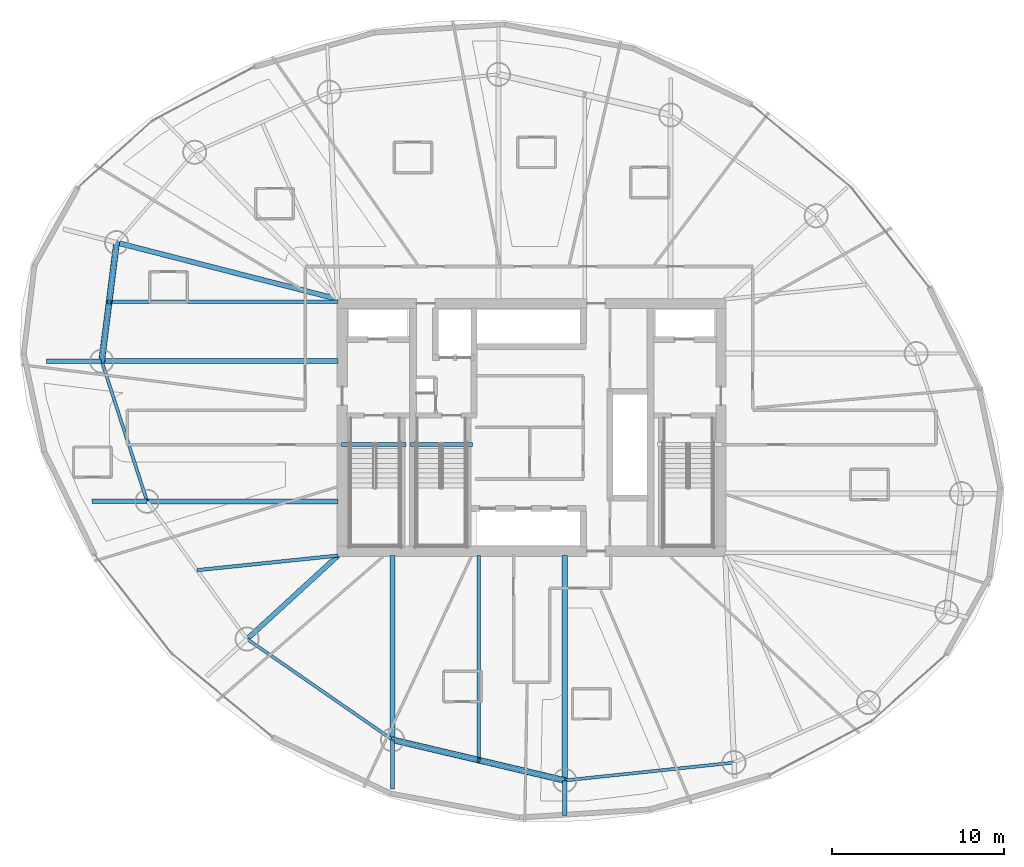
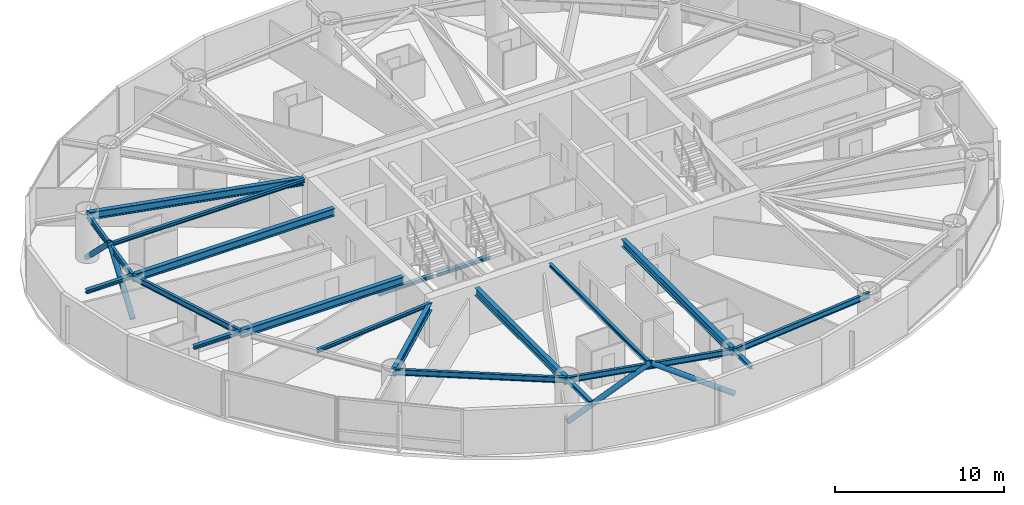
# One storey, part 3 of 20: 20 beams, 4 members.
"""IFC4 building model written with IfcOpenShell, lengths in metres."""

from ifc_helpers import new_model, si_unit, direction, frame, origin, origin_2d, place, context, subcontext, project, spatial, hollow_circle, i_section, extrude, material, material_profile, profile_set, type_object, element, save


model = new_model("IFC4")

# Units and contexts
model_context = context("Model", 3, precision=1e-05, world=origin(), true_north=direction((0.0, 1.0)))
body_context = subcontext(model_context, "Body", "Model", "MODEL_VIEW")
ifc_project = project(units=[si_unit("LENGTHUNIT", "METRE"), si_unit("AREAUNIT", "SQUARE_METRE"), si_unit("VOLUMEUNIT", "CUBIC_METRE"), si_unit("PLANEANGLEUNIT", "RADIAN"), si_unit("MASSUNIT", "GRAM", prefix="KILO")], contexts=[model_context])

# Site, building, storey
site_placement = place(None, origin())
site = spatial("IfcSite", under=ifc_project, at=site_placement, CompositionType="ELEMENT")
building_placement = place(site_placement, origin())
building = spatial("IfcBuilding", under=site, at=building_placement, Name="Bramvorn Convention Spire", CompositionType="ELEMENT")
storey_placement = place(building_placement, frame((0.0, 0.0, 106.300048828125)))
storey = spatial("IfcBuildingStorey", under=building, at=storey_placement, Name="L25", CompositionType="ELEMENT", Elevation=106.300048828125)

# Beams
ifc_material = material(Name="Steel CSA G40.21 Grade 350 (350W)", Category="steel")
ifc_material_profile_1 = material_profile(ifc_material, i_section(OverallWidth=0.201904296875, OverallDepth=0.2470703125, WebThickness=0.00732421875, FlangeThickness=0.010986328125, FilletRadius=0.011962890625, at=origin_2d()))
ifc_profile_set_1 = profile_set([ifc_material_profile_1], Name="Steel CSA G40.21 Grade 350 (350W) - W250X49")
beam_type_1 = type_object("IfcBeamType", Name="BM-W250X49", PredefinedType="JOIST", material=ifc_profile_set_1)
beam_1_placement = place(storey_placement, frame((26.75, 33.294921875, 3.136474609375), z_axis=(-1.0, 0.0, 0.0), x_axis=(0.0, -1.0, 0.0)))
element("IfcBeam", 1, at=beam_1_placement, inside=storey, type_object=beam_type_1, Name="L25 composite floor joist 09", PredefinedType="JOIST", context=body_context, shape_type="SweptSolid", body=[
    extrude(i_section(OverallWidth=0.201904296875, OverallDepth=0.2470703125, WebThickness=0.00732421875, FlangeThickness=0.010986328125, FilletRadius=0.011962890625, at=origin_2d()), origin(), (0.0, 0.0, 1.0), 13.30078125),
])
beam_2_placement = place(storey_placement, frame((26.75, 18.550048828125, 3.136474609375), z_axis=(-0.994705076194, -0.102770673804, 0.0), x_axis=(0.102770673804, -0.994705076194, 0.0)))
element("IfcBeam", 2, at=beam_2_placement, inside=storey, type_object=beam_type_1, Name="L25 composite floor joist 11", PredefinedType="JOIST", context=body_context, shape_type="SweptSolid", body=[
    extrude(i_section(OverallWidth=0.201904296875, OverallDepth=0.2470703125, WebThickness=0.00732421875, FlangeThickness=0.010986328125, FilletRadius=0.011962890625, at=origin_2d()), origin(), (0.0, 0.0, 1.0), 8.23388671875),
])
beam_3_placement = place(storey_placement, frame((34.920654296875, 18.550048828125, 3.136474609375), z_axis=(0.0, -1.0, 0.0), x_axis=(1.0, 0.0, 0.0)))
element("IfcBeam", 3, at=beam_3_placement, inside=storey, type_object=beam_type_1, Name="L25 composite floor joist 13", PredefinedType="JOIST", context=body_context, shape_type="SweptSolid", body=[
    extrude(i_section(OverallWidth=0.201904296875, OverallDepth=0.2470703125, WebThickness=0.00732421875, FlangeThickness=0.010986328125, FilletRadius=0.011962890625, at=origin_2d()), origin(), (0.0, 0.0, 1.0), 11.8857421875),
])
ifc_material_profile_2 = material_profile(ifc_material, i_section(OverallWidth=0.25390625, OverallDepth=0.2529296875, WebThickness=0.008544921875, FlangeThickness=0.01416015625, FilletRadius=0.011962890625, at=origin_2d()))
ifc_profile_set_2 = profile_set([ifc_material_profile_2], Name="Steel CSA G40.21 Grade 350 (350W) - W250X73")
beam_type_2 = type_object("IfcBeamType", Name="BM-W250X73", PredefinedType="BEAM", material=ifc_profile_set_2)
for number, where, z_axis, x_axis, name in (
    (4, (13.016357421875, 29.851806640625, 3.1083984375), (-1.0, 0.0, 0.0), (0.0, -1.0, 0.0), "L25 slab-edge cantilever tip beam MC10"),
    (5, (15.654296875, 21.706787109375, 3.1083984375), (-1.0, 0.0, 0.0), (0.0, -1.0, 0.0), "L25 slab-edge cantilever tip beam MC11"),
):
    element("IfcBeam", number, at=place(storey_placement, frame(where, z_axis=z_axis, x_axis=x_axis)), inside=storey, type_object=beam_type_2, Name=name, PredefinedType="BEAM", context=body_context, shape_type="SweptSolid", body=[
        extrude(i_section(OverallWidth=0.25390625, OverallDepth=0.2529296875, WebThickness=0.008544921875, FlangeThickness=0.01416015625, FilletRadius=0.011962890625, at=origin_2d()), origin(), (0.0, 0.0, 1.0), 3.199951171875),
    ])
beam_4_placement = place(storey_placement, frame((29.917236328125, 7.845947265625, 3.1083984375), z_axis=(0.0, -1.0, 0.0), x_axis=(1.0, 0.0, 0.0)))
element("IfcBeam", 6, at=beam_4_placement, inside=storey, type_object=beam_type_2, Name="L25 slab-edge cantilever tip beam MC13", PredefinedType="BEAM", context=body_context, shape_type="SweptSolid", body=[
    extrude(i_section(OverallWidth=0.25390625, OverallDepth=0.2529296875, WebThickness=0.008544921875, FlangeThickness=0.01416015625, FilletRadius=0.011962890625, at=origin_2d()), origin(), (0.0, 0.0, 1.0), 2.8486328125),
])
beam_5_placement = place(storey_placement, frame((39.924072265625, 5.482666015625, 3.1083984375), z_axis=(0.0, -1.0, 0.0), x_axis=(1.0, 0.0, 0.0)))
element("IfcBeam", 7, at=beam_5_placement, inside=storey, type_object=beam_type_2, Name="L25 slab-edge cantilever tip beam MC14", PredefinedType="BEAM", context=body_context, shape_type="SweptSolid", body=[
    extrude(i_section(OverallWidth=0.25390625, OverallDepth=0.2529296875, WebThickness=0.008544921875, FlangeThickness=0.01416015625, FilletRadius=0.011962890625, at=origin_2d()), origin(), (0.0, 0.0, 1.0), 2.04736328125),
])
beam_6_placement = place(storey_placement, frame((26.949951171875, 25.010009765625, -0.12646484375), z_axis=(1.0, 0.0, 0.0), x_axis=(0.0, 1.0, 0.0)))
element("IfcBeam", 8, at=beam_6_placement, inside=storey, type_object=beam_type_2, Name="L25 ST1 stair arrival header beam", PredefinedType="BEAM", context=body_context, shape_type="SweptSolid", body=[
    extrude(i_section(OverallWidth=0.25390625, OverallDepth=0.2529296875, WebThickness=0.008544921875, FlangeThickness=0.01416015625, FilletRadius=0.011962890625, at=origin_2d()), origin(), (0.0, 0.0, 1.0), 3.739990234375),
])
beam_7_placement = place(storey_placement, frame((30.949951171875, 25.010009765625, -0.12646484375), z_axis=(1.0, 0.0, 0.0), x_axis=(0.0, 1.0, 0.0)))
element("IfcBeam", 9, at=beam_7_placement, inside=storey, type_object=beam_type_2, Name="L25 ST3 stair arrival header beam", PredefinedType="BEAM", context=body_context, shape_type="SweptSolid", body=[
    extrude(i_section(OverallWidth=0.25390625, OverallDepth=0.2529296875, WebThickness=0.008544921875, FlangeThickness=0.01416015625, FilletRadius=0.011962890625, at=origin_2d()), origin(), (0.0, 0.0, 1.0), 3.610107421875),
])
ifc_material_profile_3 = material_profile(ifc_material, i_section(OverallWidth=0.180908203125, OverallDepth=0.4169921875, WebThickness=0.010986328125, FlangeThickness=0.018310546875, FilletRadius=0.01611328125, at=origin_2d()))
ifc_profile_set_3 = profile_set([ifc_material_profile_3], Name="Steel CSA G40.21 Grade 350 (350W) - W410X85")
beam_type_3 = type_object("IfcBeamType", Name="BM-W410X85", PredefinedType="JOIST", material=ifc_profile_set_3)
beam_8_placement = place(storey_placement, frame((13.88232421875, 36.73779296875, 3.051513671875), z_axis=(-0.124775053879, -0.992185056292, 0.0), x_axis=(0.992185056292, -0.124775053879, 0.0)))
element("IfcBeam", 10, at=beam_8_placement, inside=storey, type_object=beam_type_3, Name="L25 mega-column ring beam 09", PredefinedType="JOIST", context=body_context, shape_type="SweptSolid", body=[
    extrude(i_section(OverallWidth=0.180908203125, OverallDepth=0.4169921875, WebThickness=0.010986328125, FlangeThickness=0.018310546875, FilletRadius=0.01611328125, at=origin_2d()), origin(), (0.0, 0.0, 1.0), 6.940185546875),
])
beam_9_placement = place(storey_placement, frame((13.016357421875, 29.851806640625, 3.051513671875), z_axis=(0.308114853612, -0.951349166701, 0.0), x_axis=(0.951349166701, 0.308114853612, 0.0)))
element("IfcBeam", 11, at=beam_9_placement, inside=storey, type_object=beam_type_3, Name="L25 mega-column ring beam 10", PredefinedType="JOIST", context=body_context, shape_type="SweptSolid", body=[
    extrude(i_section(OverallWidth=0.180908203125, OverallDepth=0.4169921875, WebThickness=0.010986328125, FlangeThickness=0.018310546875, FilletRadius=0.01611328125, at=origin_2d()), origin(), (0.0, 0.0, 1.0), 8.5615234375),
])
beam_10_placement = place(storey_placement, frame((21.465087890625, 13.700927734375, 3.051513671875), z_axis=(0.822033166673, -0.569439613032, 0.0), x_axis=(0.569439613032, 0.822033166673, 0.0)))
element("IfcBeam", 12, at=beam_10_placement, inside=storey, type_object=beam_type_3, Name="L25 mega-column ring beam 12", PredefinedType="JOIST", context=body_context, shape_type="SweptSolid", body=[
    extrude(i_section(OverallWidth=0.180908203125, OverallDepth=0.4169921875, WebThickness=0.010986328125, FlangeThickness=0.018310546875, FilletRadius=0.01611328125, at=origin_2d()), origin(), (0.0, 0.0, 1.0), 10.281982421875),
])
beam_11_placement = place(storey_placement, frame((29.917236328125, 7.845947265625, 3.051513671875), z_axis=(0.97322750491, -0.229843911572, 0.0), x_axis=(0.229843911572, 0.97322750491, 0.0)))
element("IfcBeam", 13, at=beam_11_placement, inside=storey, type_object=beam_type_3, Name="L25 mega-column ring beam 13", PredefinedType="JOIST", context=body_context, shape_type="SweptSolid", body=[
    extrude(i_section(OverallWidth=0.180908203125, OverallDepth=0.4169921875, WebThickness=0.010986328125, FlangeThickness=0.018310546875, FilletRadius=0.01611328125, at=origin_2d()), origin(), (0.0, 0.0, 1.0), 10.2822265625),
])
beam_12_placement = place(storey_placement, frame((39.924072265625, 5.482666015625, 3.051513671875), z_axis=(0.994473491975, 0.104987969596, 0.0), x_axis=(-0.104987969596, 0.994473491975, 0.0)))
element("IfcBeam", 14, at=beam_12_placement, inside=storey, type_object=beam_type_3, Name="L25 mega-column ring beam 14", PredefinedType="JOIST", context=body_context, shape_type="SweptSolid", body=[
    extrude(i_section(OverallWidth=0.180908203125, OverallDepth=0.4169921875, WebThickness=0.010986328125, FlangeThickness=0.018310546875, FilletRadius=0.01611328125, at=origin_2d()), origin(), (0.0, 0.0, 1.0), 9.892333984375),
])
ifc_material_profile_4 = material_profile(ifc_material, i_section(OverallWidth=0.2919921875, OverallDepth=0.551025390625, WebThickness=0.01513671875, FlangeThickness=0.0244140625, FilletRadius=0.01904296875, at=origin_2d()))
ifc_profile_set_4 = profile_set([ifc_material_profile_4], Name="Steel CSA G40.21 Grade 350 (350W) - W530X182")
beam_type_4 = type_object("IfcBeamType", Name="BM-W530X182", PredefinedType="BEAM", material=ifc_profile_set_4)
beam_13_placement = place(storey_placement, frame((26.75, 33.449951171875, 2.984375), z_axis=(-0.968872976577, 0.247558387576, 0.0), x_axis=(-0.247558387576, -0.968872976577, 0.0)))
element("IfcBeam", 15, at=beam_13_placement, inside=storey, type_object=beam_type_4, Name="L25 radial floor girder MC09", PredefinedType="BEAM", context=body_context, shape_type="SweptSolid", body=[
    extrude(i_section(OverallWidth=0.2919921875, OverallDepth=0.551025390625, WebThickness=0.01513671875, FlangeThickness=0.0244140625, FilletRadius=0.01904296875, at=origin_2d()), origin(), (0.0, 0.0, 1.0), 13.281005859375),
])
beam_14_placement = place(storey_placement, frame((26.75, 29.851806640625, 2.984375), z_axis=(-1.0, 0.0, 0.0), x_axis=(0.0, -1.0, 0.0)))
element("IfcBeam", 16, at=beam_14_placement, inside=storey, type_object=beam_type_4, Name="L25 radial floor girder MC10", PredefinedType="BEAM", context=body_context, shape_type="SweptSolid", body=[
    extrude(i_section(OverallWidth=0.2919921875, OverallDepth=0.551025390625, WebThickness=0.01513671875, FlangeThickness=0.0244140625, FilletRadius=0.01904296875, at=origin_2d()), origin(), (0.0, 0.0, 1.0), 13.733642578125),
])
beam_15_placement = place(storey_placement, frame((26.75, 21.706787109375, 2.984375), z_axis=(-1.0, 0.0, 0.0), x_axis=(0.0, -1.0, 0.0)))
element("IfcBeam", 17, at=beam_15_placement, inside=storey, type_object=beam_type_4, Name="L25 radial floor girder MC11", PredefinedType="BEAM", context=body_context, shape_type="SweptSolid", body=[
    extrude(i_section(OverallWidth=0.2919921875, OverallDepth=0.551025390625, WebThickness=0.01513671875, FlangeThickness=0.0244140625, FilletRadius=0.01904296875, at=origin_2d()), origin(), (0.0, 0.0, 1.0), 11.095703125),
])
beam_16_placement = place(storey_placement, frame((26.75, 18.550048828125, 2.984375), z_axis=(-0.736833323746, -0.676074443399, 0.0), x_axis=(0.676074443399, -0.736833323746, 0.0)))
element("IfcBeam", 18, at=beam_16_placement, inside=storey, type_object=beam_type_4, Name="L25 radial floor girder MC12", PredefinedType="BEAM", context=body_context, shape_type="SweptSolid", body=[
    extrude(i_section(OverallWidth=0.2919921875, OverallDepth=0.551025390625, WebThickness=0.01513671875, FlangeThickness=0.0244140625, FilletRadius=0.01904296875, at=origin_2d()), origin(), (0.0, 0.0, 1.0), 7.17236328125),
])
beam_17_placement = place(storey_placement, frame((29.917236328125, 18.550048828125, 2.984375), z_axis=(0.0, -1.0, 0.0), x_axis=(1.0, 0.0, 0.0)))
element("IfcBeam", 19, at=beam_17_placement, inside=storey, type_object=beam_type_4, Name="L25 radial floor girder MC13", PredefinedType="BEAM", context=body_context, shape_type="SweptSolid", body=[
    extrude(i_section(OverallWidth=0.2919921875, OverallDepth=0.551025390625, WebThickness=0.01513671875, FlangeThickness=0.0244140625, FilletRadius=0.01904296875, at=origin_2d()), origin(), (0.0, 0.0, 1.0), 10.7041015625),
])
beam_18_placement = place(storey_placement, frame((39.924072265625, 18.550048828125, 2.984375), z_axis=(0.0, -1.0, 0.0), x_axis=(1.0, 0.0, 0.0)))
element("IfcBeam", 20, at=beam_18_placement, inside=storey, type_object=beam_type_4, Name="L25 radial floor girder MC14", PredefinedType="BEAM", context=body_context, shape_type="SweptSolid", body=[
    extrude(i_section(OverallWidth=0.2919921875, OverallDepth=0.551025390625, WebThickness=0.01513671875, FlangeThickness=0.0244140625, FilletRadius=0.01904296875, at=origin_2d()), origin(), (0.0, 0.0, 1.0), 13.0673828125),
])

# Members
ifc_material_profile_5 = material_profile(ifc_material, hollow_circle(Radius=0.177734375, WallThickness=0.015869140625, at=origin_2d()))
ifc_profile_set_5 = profile_set([ifc_material_profile_5], Name="Steel CSA G40.21 Grade 350 (350W) - CHS356X16")
member_type = type_object("IfcMemberType", Name="MBR-CHS356X16", PredefinedType="BRACE", material=ifc_profile_set_5)
for number, where, z_axis, x_axis, name in (
    (21, (13.88232421875, 36.73779296875, 0.0), (-0.090912229428, -0.723144484842, 0.684687534999), (0.992189958039, -0.124736070028, 0.0), "L25 perimeter Gothic lancet brace 9A"),
    (22, (13.016357421875, 29.851806640625, 0.0), (0.090966454148, 0.723116649599, 0.684709730683), (-0.992180152714, 0.124814039917, 0.0), "L25 perimeter Gothic lancet brace 9B"),
):
    element("IfcMember", number, at=place(storey_placement, frame(where, z_axis=z_axis, x_axis=x_axis)), inside=storey, type_object=member_type, Name=name, PredefinedType="BRACE", context=body_context, shape_type="SweptSolid", body=[
        extrude(hollow_circle(Radius=0.177734375, WallThickness=0.015869140625, at=origin_2d()), origin(), (0.0, 0.0, 1.0), 4.76123046875),
    ])
for number, where, z_axis, x_axis, name in (
    (23, (29.917236328125, 7.845947265625, 0.0), (0.82191146009, -0.194108103193, 0.53552179792), (0.229843911572, 0.97322750491, 0.0), "L25 perimeter Gothic lancet brace 13A"),
    (24, (39.924072265625, 5.482666015625, 0.0), (-0.82191146009, 0.194108103193, 0.53552179792), (-0.229843911572, -0.97322750491, 0.0), "L25 perimeter Gothic lancet brace 13B"),
):
    element("IfcMember", number, at=place(storey_placement, frame(where, z_axis=z_axis, x_axis=x_axis)), inside=storey, type_object=member_type, Name=name, PredefinedType="BRACE", context=body_context, shape_type="SweptSolid", body=[
        extrude(hollow_circle(Radius=0.177734375, WallThickness=0.015869140625, at=origin_2d()), origin(), (0.0, 0.0, 1.0), 6.087646484375),
    ])

save(model, "model.ifc")
